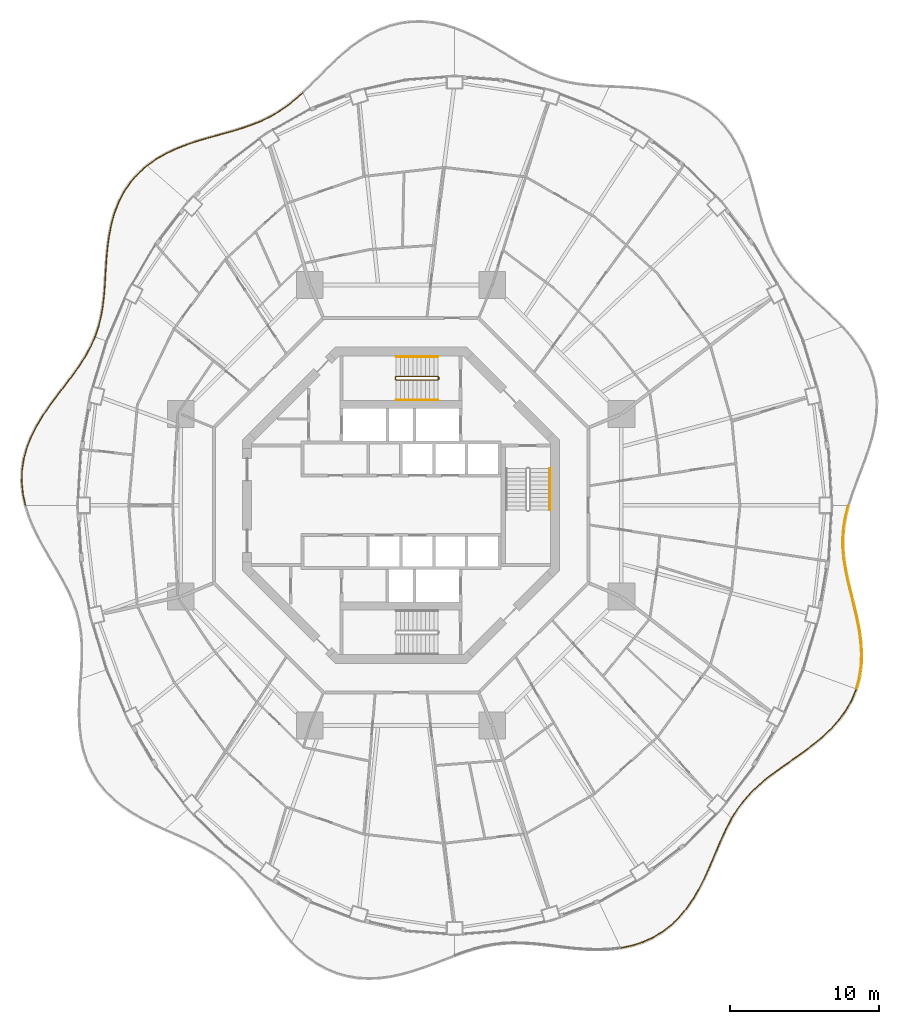
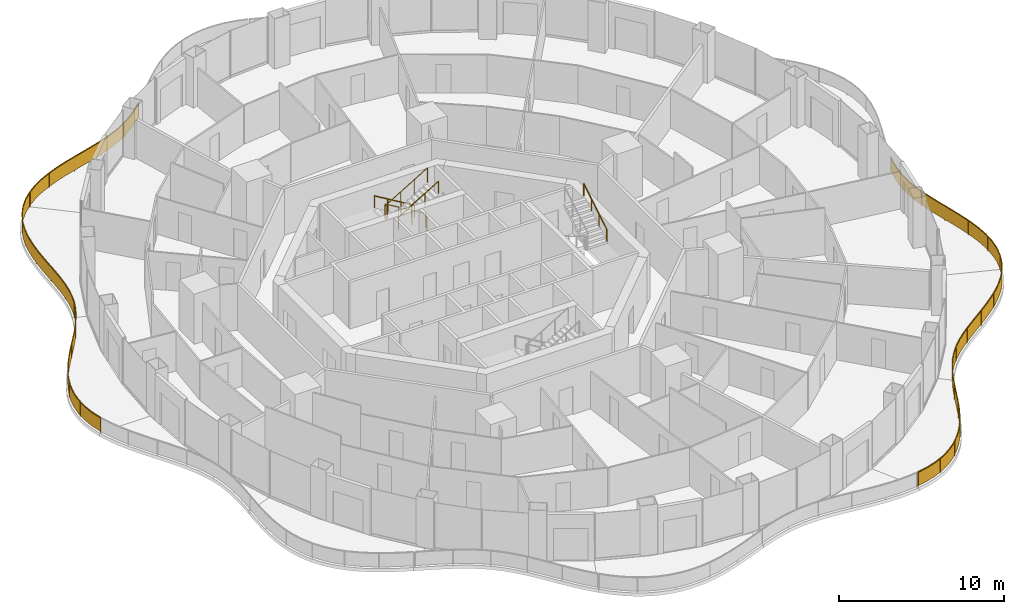
# One storey, part 18 of 19: 10 railings.
"""IFC4 building model written with IfcOpenShell, lengths in metres."""

import ifcopenshell
import ifcopenshell.guid

model = None  # the IFC model being written
_history = None  # IfcOwnerHistory: only IFC2X3 demands one
_inside = {}  # id of a spatial element -> (the spatial element, [elements in it])
_under = {}  # id of a project, library or spatial element -> (it, [spatial elements below it])
_declared = {}  # id of a project -> (the project, [libraries it declares])
_typed = {}  # id of a type object -> (the type object, [elements of that type])
_made_of = {}  # id of a material, layer set ... -> (it, [elements and type objects made of it])


def new_model(schema):
    """Start an empty IFC model of exactly this schema.

    Asked for "IFC4X3", IfcOpenShell would pick the latest addendum, in which some entities
    have other attributes; the version numbers below select the first issue.
    IFC2X3 requires an IfcOwnerHistory on every rooted entity: one is made here for all.
    """
    global model, _history
    if schema == "IFC4X3":
        model = ifcopenshell.file(schema_version=(4, 3, 0, 0))
    else:
        model = ifcopenshell.file(schema=schema)
    _inside.clear()
    _under.clear()
    _declared.clear()
    _typed.clear()
    _made_of.clear()
    _history = None
    if model.schema == "IFC2X3":
        org = make("IfcOrganization", Name="unknown")
        user = make(
            "IfcPersonAndOrganization",
            ThePerson=make("IfcPerson", FamilyName="unknown"),
            TheOrganization=org,
        )
        app = make(
            "IfcApplication",
            ApplicationDeveloper=org,
            Version="unknown",
            ApplicationFullName="unknown",
            ApplicationIdentifier="unknown",
        )
        _history = make(
            "IfcOwnerHistory",
            OwningUser=user,
            OwningApplication=app,
            ChangeAction="ADDED",
            CreationDate=0,
        )
    return model


def make(cls, **values):
    """One entity of the class cls with the attributes given. An attribute that is None is left unset."""
    return model.create_entity(
        cls, **{name: value for name, value in values.items() if value is not None}
    )


def rooted(cls, **values):
    """An entity with a GlobalId (a new one), such as an element, a storey or a relation."""
    return make(cls, GlobalId=ifcopenshell.guid.new(), OwnerHistory=_history, **values)


def si_unit(unit_type, name, prefix=None):
    """IfcSIUnit, for example si_unit("LENGTHUNIT", "METRE", prefix="MILLI")."""
    return make("IfcSIUnit", UnitType=unit_type, Prefix=prefix, Name=name)


def assignment(units):
    """IfcUnitAssignment: the units of a project."""
    return None if units is None else make("IfcUnitAssignment", Units=units)


def point(xyz):
    """IfcCartesianPoint."""
    return None if xyz is None else make("IfcCartesianPoint", Coordinates=xyz)


def direction(xyz):
    """IfcDirection."""
    return None if xyz is None else make("IfcDirection", DirectionRatios=xyz)


def frame(location, z_axis=None, x_axis=None):
    """IfcAxis2Placement3D, a coordinate frame: its origin and axes. An axis left out is left unset."""
    return make(
        "IfcAxis2Placement3D",
        Location=point(location),
        Axis=direction(z_axis),
        RefDirection=direction(x_axis),
    )


def frame_2d(location, x_axis=None):
    """IfcAxis2Placement2D, a coordinate frame in the plane: its origin and x axis."""
    return make(
        "IfcAxis2Placement2D", Location=point(location), RefDirection=direction(x_axis)
    )


def origin():
    """The frame at (0, 0, 0) with its axes left unset."""
    return frame((0.0, 0.0, 0.0))


def origin_2d():
    """The frame at (0, 0) in the plane with its x axis left unset."""
    return frame_2d((0.0, 0.0))


def place(relative_to, where):
    """IfcLocalPlacement: puts the frame where relative to a parent placement (None: the world)."""
    return make(
        "IfcLocalPlacement", PlacementRelTo=relative_to, RelativePlacement=where
    )


def context(
    kind, dimensions, precision=None, world=None, true_north=None, identifier=None
):
    """IfcGeometricRepresentationContext, for example the 3D "Model" context."""
    return make(
        "IfcGeometricRepresentationContext",
        ContextIdentifier=identifier,
        ContextType=kind,
        CoordinateSpaceDimension=dimensions,
        Precision=precision,
        WorldCoordinateSystem=world,
        TrueNorth=true_north,
    )


def subcontext(parent, identifier, kind, view, scale=None):
    """IfcGeometricRepresentationSubContext, for example "Body" below "Model"."""
    return make(
        "IfcGeometricRepresentationSubContext",
        ContextIdentifier=identifier,
        ContextType=kind,
        ParentContext=parent,
        TargetScale=scale,
        TargetView=view,
    )


def project(units=None, contexts=None):
    """IfcProject with its units and contexts."""
    return rooted(
        "IfcProject",
        Name="project",
        RepresentationContexts=contexts,
        UnitsInContext=assignment(units),
    )


def spatial(cls, under=None, at=None, **own):
    """A site, building, storey or space (cls), placed at a placement, below another one or the project."""
    s = rooted(cls, ObjectPlacement=at, **own)
    if under is not None:
        _under.setdefault(under.id(), (under, []))[1].append(s)
    return s


def polyline(points):
    """IfcPolyline through the points."""
    return make("IfcPolyline", Points=[point(p) for p in points])


def profile(cls, at=None, kind="AREA", **sizes):
    """A parametric profile (cls). Its sizes go by their IFC names, for example OverallWidth=200.0."""
    return make(cls, ProfileType=kind, Position=at, **sizes)


def rectangle(**sizes):
    """IfcRectangleProfileDef."""
    return profile("IfcRectangleProfileDef", **sizes)


def circle(**sizes):
    """IfcCircleProfileDef."""
    return profile("IfcCircleProfileDef", **sizes)


def outline(outer, holes=None, kind="AREA"):
    """IfcArbitraryClosedProfileDef: a profile drawn as a closed curve; with holes, ...WithVoids."""
    if holes is None:
        return make("IfcArbitraryClosedProfileDef", ProfileType=kind, OuterCurve=outer)
    return make(
        "IfcArbitraryProfileDefWithVoids",
        ProfileType=kind,
        OuterCurve=outer,
        InnerCurves=holes,
    )


def extrude(swept, where, along, depth):
    """IfcExtrudedAreaSolid: the profile swept, set in the frame where, extruded along a direction by depth."""
    return make(
        "IfcExtrudedAreaSolid",
        SweptArea=swept,
        Position=where,
        ExtrudedDirection=direction(along),
        Depth=depth,
    )


def shape(context_of_items, identifier, shape_type, items):
    """IfcShapeRepresentation: the items that make up one representation, for example the "Body"."""
    return make(
        "IfcShapeRepresentation",
        ContextOfItems=context_of_items,
        RepresentationIdentifier=identifier,
        RepresentationType=shape_type,
        Items=items,
    )


def material(Name=None, Category=None):
    """IfcMaterial."""
    return make("IfcMaterial", Name=Name, Category=Category)


def made_of(thing, what):
    """Note that an element or type object is made of a material, layer set ...; save() writes the relation."""
    if what is not None:
        _made_of.setdefault(what.id(), (what, []))[1].append(thing)
    return thing


def type_object(cls, material=None, **own):
    """A type object (cls), such as IfcWallType, which elements share."""
    return made_of(rooted(cls, **own), material)


def element(
    cls,
    number,
    at=None,
    inside=None,
    cuts=None,
    type_object=None,
    material=None,
    context=None,
    identifier="Body",
    shape_type=None,
    held_by="IfcProductDefinitionShape",
    body=None,
    shapes=None,
    **own,
):
    """One element of the class cls, such as IfcWall. Its Tag is "e" and its number.

    at: its placement. inside: the storey or other place that contains it. cuts: it is an
    opening in that element (IfcRelVoidsElement). A single representation is given by context,
    identifier, shape_type and body (its items); several are given by shapes. held_by: the class
    of the entity that holds the representations. save() writes the other relations.
    """
    e = rooted(cls, Tag="e%d" % number, ObjectPlacement=at, **own)
    if body is not None:
        shapes = [shape(context, identifier, shape_type, body)]
    if shapes is not None:
        e.Representation = make(held_by, Representations=shapes)
    if inside is not None:
        _inside.setdefault(inside.id(), (inside, []))[1].append(e)
    if cuts is not None:
        rooted(
            "IfcRelVoidsElement", RelatingBuildingElement=cuts, RelatedOpeningElement=e
        )
    if type_object is not None:
        _typed.setdefault(type_object.id(), (type_object, []))[1].append(e)
    return made_of(e, material)


def aggregate(whole, parts):
    """IfcRelAggregates: a whole, such as a stair, and the parts it consists of."""
    return rooted("IfcRelAggregates", RelatingObject=whole, RelatedObjects=parts)


def save(model, path):
    """Write the relations noted so far, then the file.

    IfcRelAggregates (storeys below a building ...), IfcRelContainedInSpatialStructure (elements
    in a storey), IfcRelDefinesByType, IfcRelAssociatesMaterial and IfcRelDeclares: one each for
    every whole, place, type object, material and project.
    """
    for whole, parts in _under.values():
        aggregate(whole, parts)
    for where, things in _inside.values():
        rooted(
            "IfcRelContainedInSpatialStructure",
            RelatedElements=things,
            RelatingStructure=where,
        )
    for kind, things in _typed.values():
        rooted("IfcRelDefinesByType", RelatedObjects=things, RelatingType=kind)
    for what, things in _made_of.values():
        rooted("IfcRelAssociatesMaterial", RelatedObjects=things, RelatingMaterial=what)
    for by, libraries in _declared.values():
        rooted("IfcRelDeclares", RelatingContext=by, RelatedDefinitions=libraries)
    model.write(path)


model = new_model("IFC4")

# Units and contexts
model_context = context("Model", 3, precision=1e-05, world=origin(), true_north=direction((0.0, 1.0)))
body_context = subcontext(model_context, "Body", "Model", "MODEL_VIEW")
ifc_project = project(units=[si_unit("LENGTHUNIT", "METRE"), si_unit("AREAUNIT", "SQUARE_METRE"), si_unit("VOLUMEUNIT", "CUBIC_METRE"), si_unit("PLANEANGLEUNIT", "RADIAN"), si_unit("MASSUNIT", "GRAM", prefix="KILO")], contexts=[model_context])

# Site, building, storey
site_placement = place(None, origin())
site = spatial("IfcSite", under=ifc_project, at=site_placement, CompositionType="ELEMENT")
building_placement = place(site_placement, origin())
building = spatial("IfcBuilding", under=site, at=building_placement, Name="Nagisa Residences", CompositionType="ELEMENT")
storey_placement = place(building_placement, frame((0.0, 0.0, 191.800048828125)))
storey = spatial("IfcBuildingStorey", under=building, at=storey_placement, Name="L48", CompositionType="ELEMENT", Elevation=191.800048828125)

# Railings
ifc_material_1 = material(Name="Stainless steel 316", Category="steel")
railing_type_1 = type_object("IfcRailingType", Name="BALCONY GUARD 1100", PredefinedType="BALUSTRADE", material=ifc_material_1)
railing_1_placement = place(storey_placement, frame((-6.615478515625, 27.6669921875, 0.0)))
element("IfcRailing", 1, at=railing_1_placement, inside=storey, type_object=railing_type_1, Name="guard:L48:bal05-0", PredefinedType="BALUSTRADE", context=body_context, shape_type="SweptSolid", body=[
    extrude(outline(polyline([(-0.479248046875, -0.4609375), (0.0166015625, -0.0185546875), (-0.0166015625, 0.0185546875), (-0.511474609375, -0.4228515625), (-1.05029296875, -0.851318359375), (-1.60693359375, -1.234375), (-2.1875, -1.57275390625), (-2.796142578125, -1.86865234375), (-3.421875, -2.118408203125), (-4.092041015625, -2.347900390625), (-4.791015625, -2.55859375), (-5.51318359375, -2.760498046875), (-6.251953125, -2.96630859375), (-6.986328125, -3.177001953125), (-7.730224609375, -3.42529296875), (-8.459716796875, -3.71044921875), (-9.1630859375, -4.041259765625), (-9.829345703125, -4.424072265625), (-10.409423828125, -4.834228515625), (-10.380615234375, -4.875244140625), (-9.802490234375, -4.466064453125), (-9.14013671875, -4.085693359375), (-8.439697265625, -3.75634765625), (-7.713134765625, -3.47216796875), (-6.9716796875, -3.224853515625), (-6.23828125, -3.0146484375), (-5.49951171875, -2.808837890625), (-4.77685546875, -2.6064453125), (-4.076904296875, -2.395751953125), (-3.404296875, -2.165283203125), (-2.776123046875, -1.91455078125), (-2.1640625, -1.6171875), (-1.580078125, -1.27685546875), (-1.0205078125, -0.891357421875), (-0.479248046875, -0.4609375)])), frame((0.0, 0.0, 1.050048828125)), (0.0, 0.0, 1.0), 0.050048828125),
    extrude(outline(polyline([(-0.490966796875, -0.447265625), (0.004638671875, -0.005126953125), (-0.004638671875, 0.005126953125), (-0.499755859375, -0.4365234375), (-1.03955078125, -0.86572265625), (-1.59716796875, -1.249755859375), (-2.17919921875, -1.5888671875), (-2.7890625, -1.88525390625), (-3.41552734375, -2.13525390625), (-4.086669921875, -2.365234375), (-4.785888671875, -2.57568359375), (-5.50830078125, -2.77783203125), (-6.2470703125, -2.983642578125), (-6.98095703125, -3.1943359375), (-7.72412109375, -3.442138671875), (-8.452392578125, -3.72705078125), (-9.15478515625, -4.057373046875), (-9.819580078125, -4.439208984375), (-10.399169921875, -4.84912109375), (-10.390869140625, -4.8603515625), (-9.812255859375, -4.450927734375), (-9.1484375, -4.069580078125), (-8.447021484375, -3.73974609375), (-7.71923828125, -3.455322265625), (-6.97705078125, -3.20751953125), (-6.2431640625, -2.997314453125), (-5.50439453125, -2.79150390625), (-4.781982421875, -2.58935546875), (-4.082275390625, -2.37841796875), (-3.41064453125, -2.1484375), (-2.783203125, -1.89794921875), (-2.17236328125, -1.60107421875), (-1.58984375, -1.261474609375), (-1.03125, -0.876953125), (-0.490966796875, -0.447265625)])), frame((0.0, 0.0, 0.06005859375)), (0.0, 0.0, 1.0), 0.989990234375),
    extrude(rectangle(XDim=0.0400390625, YDim=0.0400390625, at=origin_2d()), origin(), (0.0, 0.0, 1.0), 1.050048828125),
    extrude(rectangle(XDim=0.0400390625, YDim=0.0400390625, at=origin_2d()), frame((-1.842041015625, -1.400390625, 0.0)), (0.0, 0.0, 1.0), 1.050048828125),
    extrude(rectangle(XDim=0.0400390625, YDim=0.0400390625, at=origin_2d()), frame((-3.9609375, -2.32958984375, 0.0)), (0.0, 0.0, 1.0), 1.050048828125),
    extrude(rectangle(XDim=0.0400390625, YDim=0.0400390625, at=origin_2d()), frame((-6.188232421875, -2.974609375, 0.0)), (0.0, 0.0, 1.0), 1.050048828125),
    extrude(rectangle(XDim=0.0400390625, YDim=0.0400390625, at=origin_2d()), frame((-8.386474609375, -3.708740234375, 0.0)), (0.0, 0.0, 1.0), 1.050048828125),
    extrude(rectangle(XDim=0.0400390625, YDim=0.0400390625, at=origin_2d()), frame((-10.39501953125, -4.854736328125, 0.0)), (0.0, 0.0, 1.0), 1.050048828125),
])
railing_2_placement = place(storey_placement, frame((-17.0712890625, 22.764404296875, 0.0)))
element("IfcRailing", 2, at=railing_2_placement, inside=storey, type_object=railing_type_1, Name="guard:L48:bal06-0", PredefinedType="BALUSTRADE", context=body_context, shape_type="SweptSolid", body=[
    extrude(outline(polyline([(-0.533447265625, -0.507080078125), (0.0166015625, -0.018798828125), (-0.0166015625, 0.018798828125), (-0.569091796875, -0.471435546875), (-1.085693359375, -1.056884765625), (-1.5263671875, -1.700927734375), (-1.889404296875, -2.397216796875), (-2.1767578125, -3.13623046875), (-2.38720703125, -3.89794921875), (-2.5439453125, -4.694580078125), (-2.65185546875, -5.50390625), (-2.72412109375, -6.314453125), (-2.7763671875, -7.117919921875), (-2.81787109375, -7.892578125), (-2.877685546875, -8.65869140625), (-2.963134765625, -9.399169921875), (-3.087158203125, -10.11279296875), (-3.259033203125, -10.79931640625), (-3.47265625, -11.42333984375), (-3.42529296875, -11.439453125), (-3.211181640625, -10.8134765625), (-3.038330078125, -10.123046875), (-2.913818359375, -9.406494140625), (-2.827880859375, -8.66357421875), (-2.76806640625, -7.89599609375), (-2.7265625, -7.120849609375), (-2.67431640625, -6.318359375), (-2.60205078125, -5.50927734375), (-2.49462890625, -4.702880859375), (-2.33837890625, -3.90966796875), (-2.12939453125, -3.15185546875), (-1.843994140625, -2.417724609375), (-1.4833984375, -1.726806640625), (-1.046142578125, -1.087646484375), (-0.533447265625, -0.507080078125)])), frame((0.0, 0.0, 1.050048828125)), (0.0, 0.0, 1.0), 0.050048828125),
    extrude(outline(polyline([(-0.54638671875, -0.494140625), (0.004638671875, -0.005126953125), (-0.004638671875, 0.005126953125), (-0.55615234375, -0.484375), (-1.071533203125, -1.06787109375), (-1.510986328125, -1.710205078125), (-1.873046875, -2.404541015625), (-2.15966796875, -3.141845703125), (-2.36962890625, -3.902099609375), (-2.526123046875, -4.697509765625), (-2.634033203125, -5.505859375), (-2.706298828125, -6.31591796875), (-2.758544921875, -7.118896484375), (-2.800048828125, -7.893798828125), (-2.85986328125, -8.660400390625), (-2.9453125, -9.40185546875), (-3.069580078125, -10.116455078125), (-3.241943359375, -10.804443359375), (-3.45556640625, -11.42919921875), (-3.4423828125, -11.43359375), (-3.228271484375, -10.808349609375), (-3.055908203125, -10.119384765625), (-2.931640625, -9.40380859375), (-2.845703125, -8.661865234375), (-2.785888671875, -7.894775390625), (-2.744384765625, -7.119873046875), (-2.692138671875, -6.31689453125), (-2.619873046875, -5.50732421875), (-2.512451171875, -4.699951171875), (-2.35595703125, -3.905517578125), (-2.146484375, -3.146240234375), (-1.8603515625, -2.410400390625), (-1.498779296875, -1.717529296875), (-1.060302734375, -1.07666015625), (-0.54638671875, -0.494140625)])), frame((0.0, 0.0, 0.06005859375)), (0.0, 0.0, 1.0), 0.989990234375),
    extrude(rectangle(XDim=0.0400390625, YDim=0.0400390625, at=origin_2d()), origin(), (0.0, 0.0, 1.0), 1.050048828125),
    extrude(rectangle(XDim=0.0400390625, YDim=0.0400390625, at=origin_2d()), frame((-1.36669921875, -1.51171875, 0.0)), (0.0, 0.0, 1.0), 1.050048828125),
    extrude(rectangle(XDim=0.0400390625, YDim=0.0400390625, at=origin_2d()), frame((-2.21435546875, -3.36572265625, 0.0)), (0.0, 0.0, 1.0), 1.050048828125),
    extrude(rectangle(XDim=0.0400390625, YDim=0.0400390625, at=origin_2d()), frame((-2.60888671875, -5.37158203125, 0.0)), (0.0, 0.0, 1.0), 1.050048828125),
    extrude(rectangle(XDim=0.0400390625, YDim=0.0400390625, at=origin_2d()), frame((-2.76708984375, -7.412353515625, 0.0)), (0.0, 0.0, 1.0), 1.050048828125),
    extrude(rectangle(XDim=0.0400390625, YDim=0.0400390625, at=origin_2d()), frame((-2.94677734375, -9.450927734375, 0.0)), (0.0, 0.0, 1.0), 1.050048828125),
    extrude(rectangle(XDim=0.0400390625, YDim=0.0400390625, at=origin_2d()), frame((-3.448974609375, -11.431396484375, 0.0)), (0.0, 0.0, 1.0), 1.050048828125),
])
railing_3_placement = place(storey_placement, frame((-20.545654296875, 11.26904296875, 0.0)))
element("IfcRailing", 3, at=railing_3_placement, inside=storey, type_object=railing_type_1, Name="guard:L48:bal07-0", PredefinedType="BALUSTRADE", context=body_context, shape_type="SweptSolid", body=[
    extrude(outline(polyline([(-0.255859375, -0.637451171875), (0.02294921875, -0.01025390625), (-0.02294921875, 0.01025390625), (-0.30078125, -0.614990234375), (-0.65478515625, -1.261962890625), (-1.063232421875, -1.89990234375), (-1.5166015625, -2.5361328125), (-2.000732421875, -3.177734375), (-2.497314453125, -3.817138671875), (-2.99365234375, -4.486328125), (-3.468017578125, -5.17578125), (-3.901123046875, -5.88720703125), (-4.275146484375, -6.6201171875), (-4.573486328125, -7.360107421875), (-4.787109375, -8.130859375), (-4.90625, -8.913818359375), (-4.927001953125, -9.703857421875), (-4.85009765625, -10.495361328125), (-4.690185546875, -11.236572265625), (-4.641357421875, -11.225830078125), (-4.80078125, -10.487548828125), (-4.876708984375, -9.701904296875), (-4.8564453125, -8.918212890625), (-4.73828125, -8.14111328125), (-4.526123046875, -7.376220703125), (-4.229736328125, -6.64111328125), (-3.857177734375, -5.91162109375), (-3.426025390625, -5.203125), (-2.953125, -4.515625), (-2.457275390625, -3.847412109375), (-1.961181640625, -3.2080078125), (-1.47607421875, -2.56591796875), (-1.021728515625, -1.927734375), (-0.61181640625, -1.287353515625), (-0.255859375, -0.637451171875)])), frame((0.0, 0.0, 1.050048828125)), (0.0, 0.0, 1.0), 0.050048828125),
    extrude(outline(polyline([(-0.27197265625, -0.62939453125), (0.00634765625, -0.0029296875), (-0.00634765625, 0.0029296875), (-0.28466796875, -0.623046875), (-0.639404296875, -1.27099609375), (-1.04833984375, -1.909912109375), (-1.501953125, -2.546875), (-1.986572265625, -3.188720703125), (-2.48291015625, -3.828125), (-2.97900390625, -4.496826171875), (-3.452880859375, -5.185546875), (-3.88525390625, -5.89599609375), (-4.2587890625, -6.627685546875), (-4.556396484375, -7.365966796875), (-4.76953125, -8.134521484375), (-4.888427734375, -8.915283203125), (-4.908935546875, -9.703125), (-4.832275390625, -10.492431640625), (-4.672607421875, -11.232666015625), (-4.658935546875, -11.229736328125), (-4.818603515625, -10.490478515625), (-4.894775390625, -9.70263671875), (-4.874267578125, -8.916748046875), (-4.755859375, -8.137451171875), (-4.543212890625, -7.370361328125), (-4.24609375, -6.633544921875), (-3.873046875, -5.90283203125), (-3.441162109375, -5.193359375), (-2.9677734375, -4.505126953125), (-2.4716796875, -3.83642578125), (-1.975341796875, -3.197021484375), (-1.49072265625, -2.55517578125), (-1.03662109375, -1.917724609375), (-0.627197265625, -1.2783203125), (-0.27197265625, -0.62939453125)])), frame((0.0, 0.0, 0.06005859375)), (0.0, 0.0, 1.0), 0.989990234375),
    extrude(rectangle(XDim=0.0400390625, YDim=0.0400390625, at=origin_2d()), origin(), (0.0, 0.0, 1.0), 1.050048828125),
    extrude(rectangle(XDim=0.0400390625, YDim=0.0400390625, at=origin_2d()), frame((-0.9990234375, -1.845947265625, 0.0)), (0.0, 0.0, 1.0), 1.050048828125),
    extrude(rectangle(XDim=0.0400390625, YDim=0.0400390625, at=origin_2d()), frame((-2.248046875, -3.537109375, 0.0)), (0.0, 0.0, 1.0), 1.050048828125),
    extrude(rectangle(XDim=0.0400390625, YDim=0.0400390625, at=origin_2d()), frame((-3.478515625, -5.241455078125, 0.0)), (0.0, 0.0, 1.0), 1.050048828125),
    extrude(rectangle(XDim=0.0400390625, YDim=0.0400390625, at=origin_2d()), frame((-4.443603515625, -7.10498046875, 0.0)), (0.0, 0.0, 1.0), 1.050048828125),
    extrude(rectangle(XDim=0.0400390625, YDim=0.0400390625, at=origin_2d()), frame((-4.887451171875, -9.149169921875, 0.0)), (0.0, 0.0, 1.0), 1.050048828125),
    extrude(rectangle(XDim=0.0400390625, YDim=0.0400390625, at=origin_2d()), frame((-4.665771484375, -11.231201171875, 0.0)), (0.0, 0.0, 1.0), 1.050048828125),
])
railing_4_placement = place(storey_placement, frame((14.771728515625, -29.68896484375, 0.0)))
element("IfcRailing", 4, at=railing_4_placement, inside=storey, type_object=railing_type_1, Name="guard:L48:bal13-0", PredefinedType="BALUSTRADE", context=body_context, shape_type="SweptSolid", body=[
    extrude(outline(polyline([(0.703857421875, 0.16943359375), (-0.005126953125, 0.0244140625), (0.005126953125, -0.0244140625), (0.716552734375, 0.12109375), (1.44580078125, 0.35400390625), (2.1376953125, 0.665771484375), (2.78564453125, 1.055419921875), (3.38232421875, 1.518798828125), (3.9169921875, 2.04345703125), (4.4111328125, 2.63525390625), (4.853759765625, 3.275634765625), (5.25048828125, 3.952392578125), (5.607421875, 4.65283203125), (5.920654296875, 5.35302734375), (6.224609375, 6.0625), (6.518310546875, 6.759521484375), (6.81298828125, 7.434814453125), (7.119873046875, 8.08056640625), (7.427978515625, 8.656005859375), (7.384033203125, 8.679443359375), (7.074951171875, 8.10302734375), (6.767578125, 7.455322265625), (6.472412109375, 6.779052734375), (6.1787109375, 6.08203125), (5.874755859375, 5.373046875), (5.56201171875, 4.67431640625), (5.20654296875, 3.976318359375), (4.811767578125, 3.302490234375), (4.37109375, 2.66552734375), (3.88037109375, 2.07763671875), (3.34912109375, 1.556396484375), (2.75732421875, 1.096923828125), (2.1142578125, 0.710205078125), (1.427734375, 0.40087890625), (0.703857421875, 0.16943359375)])), frame((0.0, 0.0, 1.050048828125)), (0.0, 0.0, 1.0), 0.050048828125),
    extrude(outline(polyline([(0.70849609375, 0.152099609375), (-0.00146484375, 0.0068359375), (0.00146484375, -0.0068359375), (0.7119140625, 0.138427734375), (1.439208984375, 0.370849609375), (2.129150390625, 0.681884765625), (2.775390625, 1.0703125), (3.370361328125, 1.5322265625), (3.90380859375, 2.055908203125), (4.396728515625, 2.646240234375), (4.838623046875, 3.285400390625), (5.234619140625, 3.9609375), (5.591064453125, 4.66064453125), (5.904052734375, 5.360107421875), (6.2080078125, 6.069580078125), (6.501708984375, 6.7666015625), (6.796630859375, 7.442138671875), (7.103759765625, 8.088623046875), (7.412109375, 8.664306640625), (7.39990234375, 8.671142578125), (7.091064453125, 8.094970703125), (6.783935546875, 7.447998046875), (6.489013671875, 6.77197265625), (6.1953125, 6.074951171875), (5.891357421875, 5.365966796875), (5.578369140625, 4.66650390625), (5.222412109375, 3.9677734375), (4.826904296875, 3.292724609375), (4.385498046875, 2.654541015625), (3.8935546875, 2.065185546875), (3.361083984375, 1.54296875), (2.767578125, 1.08203125), (2.122802734375, 0.694091796875), (1.434326171875, 0.384033203125), (0.70849609375, 0.152099609375)])), frame((0.0, 0.0, 0.06005859375)), (0.0, 0.0, 1.0), 0.989990234375),
    extrude(rectangle(XDim=0.0400390625, YDim=0.0400390625, at=origin_2d()), origin(), (0.0, 0.0, 1.0), 1.050048828125),
    extrude(rectangle(XDim=0.0400390625, YDim=0.0400390625, at=origin_2d()), frame((1.9052734375, 0.588623046875, 0.0)), (0.0, 0.0, 1.0), 1.050048828125),
    extrude(rectangle(XDim=0.0400390625, YDim=0.0400390625, at=origin_2d()), frame((3.546875, 1.71533203125, 0.0)), (0.0, 0.0, 1.0), 1.050048828125),
    extrude(rectangle(XDim=0.0400390625, YDim=0.0400390625, at=origin_2d()), frame((4.812255859375, 3.25927734375, 0.0)), (0.0, 0.0, 1.0), 1.050048828125),
    extrude(rectangle(XDim=0.0400390625, YDim=0.0400390625, at=origin_2d()), frame((5.747314453125, 5.02685546875, 0.0)), (0.0, 0.0, 1.0), 1.050048828125),
    extrude(rectangle(XDim=0.0400390625, YDim=0.0400390625, at=origin_2d()), frame((6.537353515625, 6.86572265625, 0.0)), (0.0, 0.0, 1.0), 1.050048828125),
    extrude(rectangle(XDim=0.0400390625, YDim=0.0400390625, at=origin_2d()), frame((7.406005859375, 8.667724609375, 0.0)), (0.0, 0.0, 1.0), 1.050048828125),
])
railing_5_placement = place(storey_placement, frame((22.211669921875, -20.959228515625, 0.0)))
element("IfcRailing", 5, at=railing_5_placement, inside=storey, type_object=railing_type_1, Name="guard:L48:bal14-0", PredefinedType="BALUSTRADE", context=body_context, shape_type="SweptSolid", body=[
    extrude(outline(polyline([(0.335693359375, 0.58251953125), (-0.021240234375, 0.01318359375), (0.021240234375, -0.01318359375), (0.377197265625, 0.55419921875), (0.797119140625, 1.117431640625), (1.263427734375, 1.644287109375), (1.77783203125, 2.139892578125), (2.337890625, 2.612060546875), (2.929931640625, 3.056640625), (3.5615234375, 3.5087890625), (4.213134765625, 3.966064453125), (4.870361328125, 4.437744140625), (5.517822265625, 4.93212890625), (6.133056640625, 5.44384765625), (6.713623046875, 6.004150390625), (7.23779296875, 6.60302734375), (7.693359375, 7.241943359375), (8.0703125, 7.919677734375), (8.343505859375, 8.588623046875), (8.297119140625, 8.607666015625), (8.02490234375, 7.941162109375), (7.65087890625, 7.268798828125), (7.19873046875, 6.63427734375), (6.677490234375, 6.038818359375), (6.099853515625, 5.48095703125), (5.486572265625, 4.97119140625), (4.840576171875, 4.477783203125), (4.184326171875, 4.007080078125), (3.53271484375, 3.5498046875), (2.900146484375, 3.09716796875), (2.306640625, 2.651123046875), (1.744140625, 2.177001953125), (1.227294921875, 1.678955078125), (0.758056640625, 1.149169921875), (0.335693359375, 0.58251953125)])), frame((0.0, 0.0, 1.050048828125)), (0.0, 0.0, 1.0), 0.050048828125),
    extrude(outline(polyline([(0.3505859375, 0.572265625), (-0.005859375, 0.003662109375), (0.005859375, -0.003662109375), (0.3623046875, 0.564453125), (0.782958984375, 1.12890625), (1.25048828125, 1.65673828125), (1.765625, 2.1533203125), (2.32666015625, 2.626220703125), (2.919189453125, 3.0712890625), (3.55126953125, 3.523681640625), (4.202880859375, 3.98095703125), (4.859619140625, 4.4521484375), (5.506591796875, 4.9462890625), (6.12109375, 5.457275390625), (6.70068359375, 6.0166015625), (7.223876953125, 6.6142578125), (7.677978515625, 7.251708984375), (8.053955078125, 7.927490234375), (8.326904296875, 8.595458984375), (8.313720703125, 8.600830078125), (8.041259765625, 7.933349609375), (7.666259765625, 7.259033203125), (7.212646484375, 6.623046875), (6.6904296875, 6.0263671875), (6.11181640625, 5.467529296875), (5.497802734375, 4.95703125), (4.851318359375, 4.46337890625), (4.194580078125, 3.9921875), (3.54296875, 3.534912109375), (2.910888671875, 3.08251953125), (2.31787109375, 2.636962890625), (1.75634765625, 2.16357421875), (1.240234375, 1.66650390625), (0.772216796875, 1.1376953125), (0.3505859375, 0.572265625)])), frame((0.0, 0.0, 0.06005859375)), (0.0, 0.0, 1.0), 0.989990234375),
    extrude(rectangle(XDim=0.0400390625, YDim=0.0400390625, at=origin_2d()), origin(), (0.0, 0.0, 1.0), 1.050048828125),
    extrude(rectangle(XDim=0.0400390625, YDim=0.0400390625, at=origin_2d()), frame((1.20703125, 1.618408203125, 0.0)), (0.0, 0.0, 1.0), 1.050048828125),
    extrude(rectangle(XDim=0.0400390625, YDim=0.0400390625, at=origin_2d()), frame((2.734619140625, 2.94140625, 0.0)), (0.0, 0.0, 1.0), 1.050048828125),
    extrude(rectangle(XDim=0.0400390625, YDim=0.0400390625, at=origin_2d()), frame((4.381103515625, 4.117431640625, 0.0)), (0.0, 0.0, 1.0), 1.050048828125),
    extrude(rectangle(XDim=0.0400390625, YDim=0.0400390625, at=origin_2d()), frame((5.983642578125, 5.351806640625, 0.0)), (0.0, 0.0, 1.0), 1.050048828125),
    extrude(rectangle(XDim=0.0400390625, YDim=0.0400390625, at=origin_2d()), frame((7.364501953125, 6.823974609375, 0.0)), (0.0, 0.0, 1.0), 1.050048828125),
    extrude(rectangle(XDim=0.0400390625, YDim=0.0400390625, at=origin_2d()), frame((8.3203125, 8.59814453125, 0.0)), (0.0, 0.0, 1.0), 1.050048828125),
])
railing_6_placement = place(storey_placement, frame((30.556640625, -12.287841796875, 0.0)))
element("IfcRailing", 6, at=railing_6_placement, inside=storey, type_object=railing_type_1, Name="guard:L48:bal15-0", PredefinedType="BALUSTRADE", context=body_context, shape_type="SweptSolid", body=[
    extrude(outline(polyline([(0.17041015625, 0.72607421875), (-0.024169921875, 0.006591796875), (0.024169921875, -0.006591796875), (0.2197265625, 0.7158203125), (0.334716796875, 1.51025390625), (0.363037109375, 2.32275390625), (0.31396484375, 3.145751953125), (0.20166015625, 3.9716796875), (0.038818359375, 4.780029296875), (-0.149658203125, 5.591796875), (-0.34765625, 6.3896484375), (-0.536865234375, 7.171142578125), (-0.699462890625, 7.93505859375), (-0.82177734375, 8.6689453125), (-0.888916015625, 9.402587890625), (-0.893798828125, 10.12646484375), (-0.833740234375, 10.84521484375), (-0.709228515625, 11.564208984375), (-0.53515625, 12.2470703125), (-0.58349609375, 12.25927734375), (-0.758056640625, 11.574462890625), (-0.883544921875, 10.8515625), (-0.944091796875, 10.12841796875), (-0.938720703125, 9.400146484375), (-0.87158203125, 8.66259765625), (-0.748779296875, 7.92578125), (-0.585693359375, 7.159912109375), (-0.396484375, 6.3779296875), (-0.198486328125, 5.580078125), (-0.010009765625, 4.769287109375), (0.15234375, 3.96337890625), (0.26416015625, 3.140869140625), (0.312744140625, 2.322265625), (0.284912109375, 1.5146484375), (0.17041015625, 0.72607421875)])), frame((0.0, 0.0, 1.050048828125)), (0.0, 0.0, 1.0), 0.050048828125),
    extrude(outline(polyline([(0.188232421875, 0.722412109375), (-0.0068359375, 0.001708984375), (0.0068359375, -0.001708984375), (0.201904296875, 0.719482421875), (0.31689453125, 1.51171875), (0.344970703125, 2.322509765625), (0.296142578125, 3.14404296875), (0.183837890625, 3.96875), (0.021240234375, 4.776123046875), (-0.167236328125, 5.587646484375), (-0.365234375, 6.385498046875), (-0.554443359375, 7.1669921875), (-0.71728515625, 7.931640625), (-0.83984375, 8.666748046875), (-0.90673828125, 9.401611328125), (-0.911865234375, 10.127197265625), (-0.851806640625, 10.847412109375), (-0.726806640625, 11.56787109375), (-0.552490234375, 12.25146484375), (-0.566162109375, 12.2548828125), (-0.740478515625, 11.57080078125), (-0.865478515625, 10.849365234375), (-0.926025390625, 10.127685546875), (-0.9208984375, 9.401123046875), (-0.853515625, 8.664794921875), (-0.73095703125, 7.92919921875), (-0.568115234375, 7.1640625), (-0.37890625, 6.382080078125), (-0.180908203125, 5.584228515625), (0.007568359375, 4.773193359375), (0.170166015625, 3.96630859375), (0.281982421875, 3.142578125), (0.330810546875, 2.322509765625), (0.302734375, 1.51318359375), (0.188232421875, 0.722412109375)])), frame((0.0, 0.0, 0.06005859375)), (0.0, 0.0, 1.0), 0.989990234375),
    extrude(rectangle(XDim=0.0400390625, YDim=0.0400390625, at=origin_2d()), origin(), (0.0, 0.0, 1.0), 1.050048828125),
    extrude(rectangle(XDim=0.0400390625, YDim=0.0400390625, at=origin_2d()), frame((0.328125, 2.0400390625, 0.0)), (0.0, 0.0, 1.0), 1.050048828125),
    extrude(rectangle(XDim=0.0400390625, YDim=0.0400390625, at=origin_2d()), frame((0.14990234375, 4.1025390625, 0.0)), (0.0, 0.0, 1.0), 1.050048828125),
    extrude(rectangle(XDim=0.0400390625, YDim=0.0400390625, at=origin_2d()), frame((-0.30810546875, 6.12548828125, 0.0)), (0.0, 0.0, 1.0), 1.050048828125),
    extrude(rectangle(XDim=0.0400390625, YDim=0.0400390625, at=origin_2d()), frame((-0.7607421875, 8.1494140625, 0.0)), (0.0, 0.0, 1.0), 1.050048828125),
    extrude(rectangle(XDim=0.0400390625, YDim=0.0400390625, at=origin_2d()), frame((-0.911865234375, 10.213623046875, 0.0)), (0.0, 0.0, 1.0), 1.050048828125),
    extrude(rectangle(XDim=0.0400390625, YDim=0.0400390625, at=origin_2d()), frame((-0.559326171875, 12.253173828125, 0.0)), (0.0, 0.0, 1.0), 1.050048828125),
])
ifc_material_2 = material(Name="Stainless steel", Category="steel")
railing_type_2 = type_object("IfcRailingType", Name="Stair guard 1100", PredefinedType="GUARDRAIL", material=ifc_material_2)
railing_7_placement = place(storey_placement, frame((2.52490234375, 8.44970703125, 0.0)))
element("IfcRailing", 7, at=railing_7_placement, inside=storey, type_object=railing_type_2, Name="L48 ST-N stair guard 1", PredefinedType="GUARDRAIL", context=body_context, shape_type="SweptSolid", body=[
    extrude(circle(Radius=0.02392578125, at=origin_2d()), frame((0.0, 0.0, 1.076171875), z_axis=(0.0, 1.0, 0.0), x_axis=(-1.0, 0.0, 0.0)), (0.0, 0.0, 1.0), 0.14990234375),
    extrude(circle(Radius=0.02392578125, at=origin_2d()), frame((0.0, 0.14990234375, 1.076171875), z_axis=(-0.273006030465, 0.27434429532, 0.922064485248), x_axis=(-0.708833529934, -0.705375805398, 0.0)), (0.0, 0.0, 1.0), 0.182373046875),
    extrude(circle(Radius=0.02392578125, at=origin_2d()), frame((-0.0498046875, 0.199951171875, 1.244140625), z_axis=(-0.857275202839, 0.0, 0.514858452973), x_axis=(0.0, -1.0, 0.0)), (0.0, 0.0, 1.0), 3.26611328125),
    extrude(circle(Radius=0.02392578125, at=origin_2d()), frame((-2.849853515625, 0.199951171875, 2.92578125), z_axis=(-0.707106781187, -0.707106781187, 0.0), x_axis=(0.707106781187, -0.707106781187, 0.0)), (0.0, 0.0, 1.0), 0.07080078125),
    extrude(circle(Radius=0.02392578125, at=origin_2d()), frame((-2.89990234375, 0.14990234375, 2.92578125), z_axis=(0.0, -1.0, 0.0), x_axis=(1.0, 0.0, 0.0)), (0.0, 0.0, 1.0), 0.14990234375),
    extrude(circle(Radius=0.02392578125, at=origin_2d()), frame((-2.89990234375, 0.0, 2.92578125), z_axis=(0.274243871929, -0.274243871929, 0.92172696468), x_axis=(0.707106781187, 0.707106781187, 0.0)), (0.0, 0.0, 1.0), 0.1826171875),
    extrude(circle(Radius=0.02392578125, at=origin_2d()), frame((-2.849853515625, -0.050048828125, 3.09423828125), z_axis=(0.857242210791, 0.0, 0.514913383045), x_axis=(0.0, 1.0, 0.0)), (0.0, 0.0, 1.0), 3.266357421875),
    extrude(circle(Radius=0.02099609375, at=origin_2d()), origin(), (0.0, 0.0, 1.0), 1.052001953125),
    extrude(circle(Radius=0.02099609375, at=origin_2d()), frame((0.0, 0.14990234375, 0.0)), (0.0, 0.0, 1.0), 1.052001953125),
    extrude(circle(Radius=0.02099609375, at=origin_2d()), frame((-0.0498046875, 0.199951171875, 0.168212890625)), (0.0, 0.0, 1.0), 1.052001953125),
    extrude(circle(Radius=0.02099609375, at=origin_2d()), frame((-0.983154296875, 0.199951171875, 0.728759765625)), (0.0, 0.0, 1.0), 1.052001953125),
    extrude(circle(Radius=0.02099609375, at=origin_2d()), frame((-1.91650390625, 0.199951171875, 1.289306640625)), (0.0, 0.0, 1.0), 1.052001953125),
    extrude(circle(Radius=0.02099609375, at=origin_2d()), frame((-2.849853515625, 0.199951171875, 1.849853515625)), (0.0, 0.0, 1.0), 1.052001953125),
    extrude(circle(Radius=0.02099609375, at=origin_2d()), frame((-2.89990234375, 0.14990234375, 1.849853515625)), (0.0, 0.0, 1.0), 1.052001953125),
    extrude(circle(Radius=0.02099609375, at=origin_2d()), frame((-2.89990234375, 0.0, 1.849853515625)), (0.0, 0.0, 1.0), 1.052001953125),
    extrude(circle(Radius=0.02099609375, at=origin_2d()), frame((-2.849853515625, -0.050048828125, 2.01806640625)), (0.0, 0.0, 1.0), 1.052001953125),
    extrude(circle(Radius=0.02099609375, at=origin_2d()), frame((-1.91650390625, -0.050048828125, 2.57861328125)), (0.0, 0.0, 1.0), 1.052001953125),
    extrude(circle(Radius=0.02099609375, at=origin_2d()), frame((-0.983154296875, -0.050048828125, 3.139404296875)), (0.0, 0.0, 1.0), 1.052001953125),
    extrude(circle(Radius=0.02099609375, at=origin_2d()), frame((-0.0498046875, -0.050048828125, 3.699951171875)), (0.0, 0.0, 1.0), 1.052001953125),
])
ifc_material_3 = material(Name="Stainless steel", Category="steel")
railing_type_3 = type_object("IfcRailingType", Name="Stair handrail 900", PredefinedType="HANDRAIL", material=ifc_material_3)
railing_8_placement = place(storey_placement, frame((9.974609375, -0.324951171875, 2.01806640625)))
element("IfcRailing", 8, at=railing_8_placement, inside=storey, type_object=railing_type_3, Name="L48 ST-E stair handrail 2", PredefinedType="HANDRAIL", context=body_context, shape_type="SweptSolid", body=[
    extrude(circle(Radius=0.02392578125, at=origin_2d()), frame((0.0, 0.0, 0.8759765625), z_axis=(0.0, 0.857242210791, 0.514913383045), x_axis=(-1.0, 0.0, 0.0)), (0.0, 0.0, 1.0), 3.266357421875),
    extrude(circle(Radius=0.02099609375, at=origin_2d()), origin(), (0.0, 0.0, 1.0), 0.851806640625),
    extrude(circle(Radius=0.02099609375, at=origin_2d()), frame((0.0, 0.933349609375, 0.560546875)), (0.0, 0.0, 1.0), 0.851806640625),
    extrude(circle(Radius=0.02099609375, at=origin_2d()), frame((0.0, 1.86669921875, 1.121337890625)), (0.0, 0.0, 1.0), 0.851806640625),
    extrude(circle(Radius=0.02099609375, at=origin_2d()), frame((0.0, 2.800048828125, 1.681884765625)), (0.0, 0.0, 1.0), 0.851806640625),
])
railing_9_placement = place(storey_placement, frame((2.47509765625, 9.974609375, 0.168212890625)))
element("IfcRailing", 9, at=railing_9_placement, inside=storey, type_object=railing_type_3, Name="L48 ST-N stair handrail 1", PredefinedType="HANDRAIL", context=body_context, shape_type="SweptSolid", body=[
    extrude(circle(Radius=0.02392578125, at=origin_2d()), frame((0.0, 0.0, 0.8759765625), z_axis=(-0.857275202839, 0.0, 0.514858452973), x_axis=(0.0, -1.0, 0.0)), (0.0, 0.0, 1.0), 3.26611328125),
    extrude(circle(Radius=0.02099609375, at=origin_2d()), origin(), (0.0, 0.0, 1.0), 0.851806640625),
    extrude(circle(Radius=0.02099609375, at=origin_2d()), frame((-0.933349609375, 0.0, 0.560546875)), (0.0, 0.0, 1.0), 0.851806640625),
    extrude(circle(Radius=0.02099609375, at=origin_2d()), frame((-1.86669921875, 0.0, 1.12109375)), (0.0, 0.0, 1.0), 0.851806640625),
    extrude(circle(Radius=0.02099609375, at=origin_2d()), frame((-2.800048828125, 0.0, 1.681640625)), (0.0, 0.0, 1.0), 0.851806640625),
])
railing_10_placement = place(storey_placement, frame((-0.324951171875, 7.07470703125, 2.01806640625)))
element("IfcRailing", 10, at=railing_10_placement, inside=storey, type_object=railing_type_3, Name="L48 ST-N stair handrail 2", PredefinedType="HANDRAIL", context=body_context, shape_type="SweptSolid", body=[
    extrude(circle(Radius=0.02392578125, at=origin_2d()), frame((0.0, 0.0, 0.8759765625), z_axis=(0.857242210791, 0.0, 0.514913383045), x_axis=(0.0, 1.0, 0.0)), (0.0, 0.0, 1.0), 3.266357421875),
    extrude(circle(Radius=0.02099609375, at=origin_2d()), origin(), (0.0, 0.0, 1.0), 0.851806640625),
    extrude(circle(Radius=0.02099609375, at=origin_2d()), frame((0.933349609375, 0.0, 0.560546875)), (0.0, 0.0, 1.0), 0.851806640625),
    extrude(circle(Radius=0.02099609375, at=origin_2d()), frame((1.86669921875, 0.0, 1.121337890625)), (0.0, 0.0, 1.0), 0.851806640625),
    extrude(circle(Radius=0.02099609375, at=origin_2d()), frame((2.800048828125, 0.0, 1.681884765625)), (0.0, 0.0, 1.0), 0.851806640625),
])

save(model, "model.ifc")
